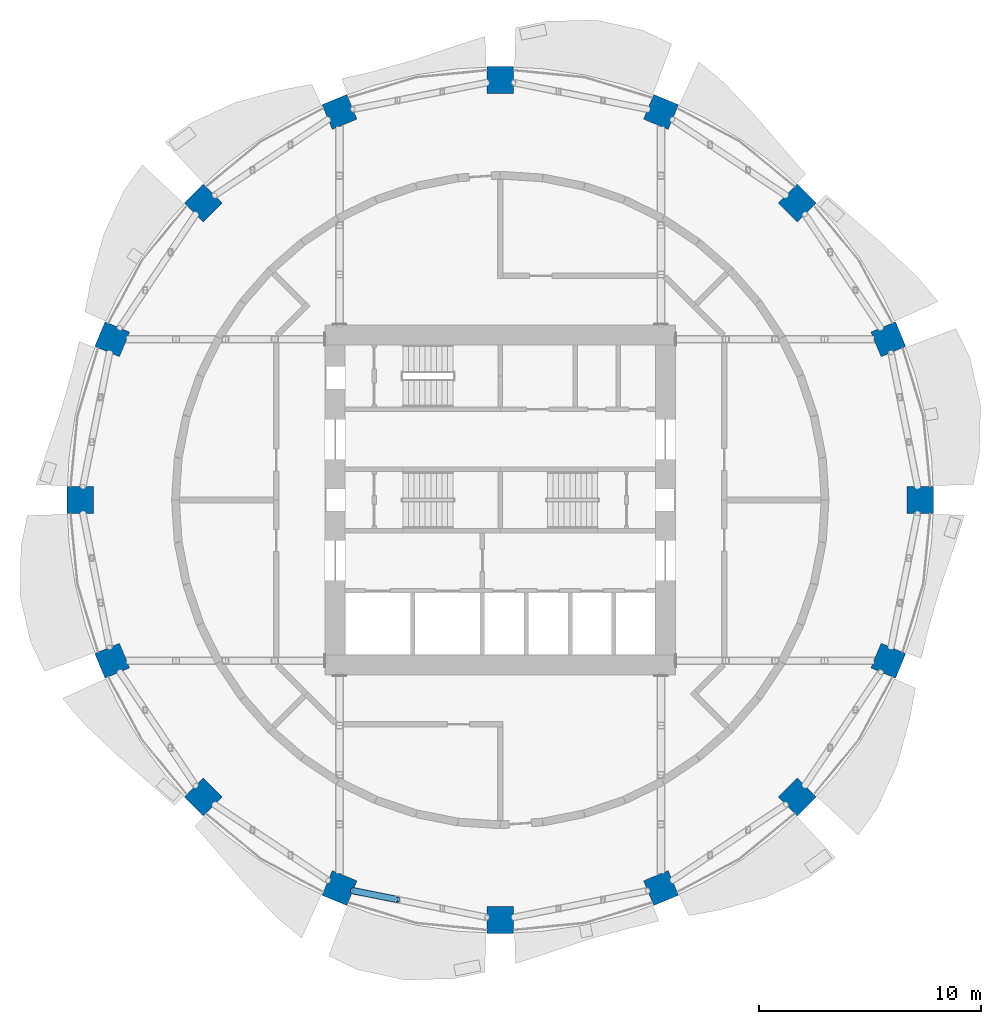
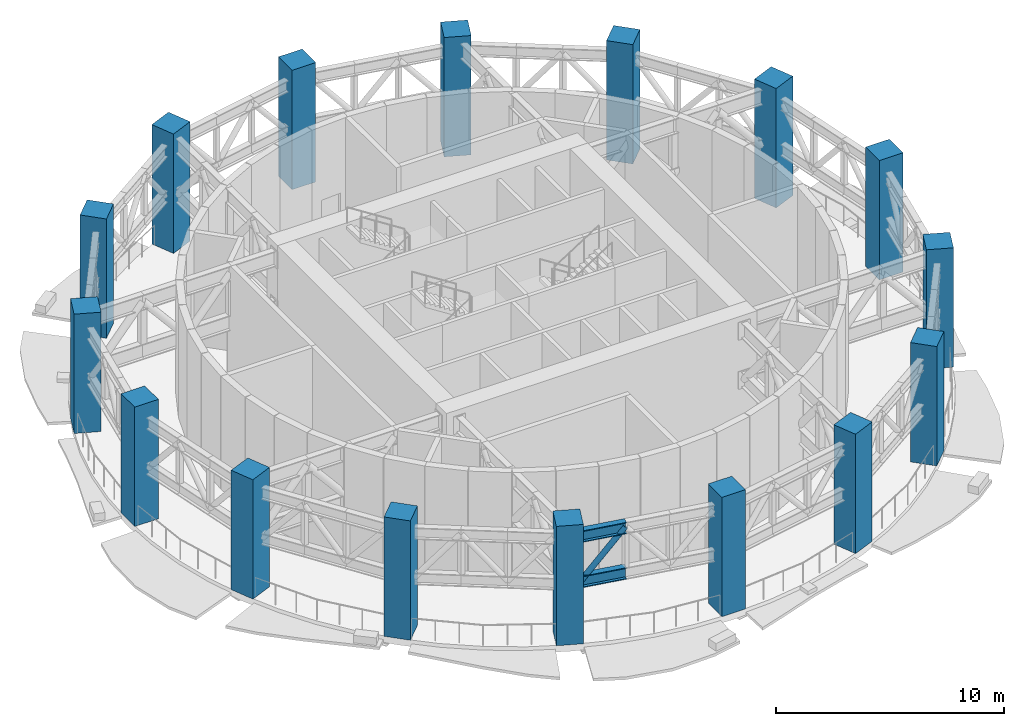
# One storey, part 1 of 14: 16 columns, 3 members.
"""IFC4 building model written with IfcOpenShell, lengths in metres."""

from ifc_helpers import new_model, si_unit, direction, frame, origin, origin_2d, place, context, subcontext, project, spatial, rectangle, hollow_circle, i_section, extrude, material, material_profile, profile_set, type_object, element, save


model = new_model("IFC4")

# Units and contexts
model_context = context("Model", 3, precision=1e-05, world=origin(), true_north=direction((0.0, 1.0)))
body_context = subcontext(model_context, "Body", "Model", "MODEL_VIEW")
ifc_project = project(units=[si_unit("LENGTHUNIT", "METRE"), si_unit("AREAUNIT", "SQUARE_METRE"), si_unit("VOLUMEUNIT", "CUBIC_METRE"), si_unit("PLANEANGLEUNIT", "RADIAN"), si_unit("MASSUNIT", "GRAM", prefix="KILO")], contexts=[model_context])

# Site, building, storey
site_placement = place(None, origin())
site = spatial("IfcSite", under=ifc_project, at=site_placement, CompositionType="ELEMENT")
building_placement = place(site_placement, origin())
building = spatial("IfcBuilding", under=site, at=building_placement, Name="Polderwave Tower", CompositionType="ELEMENT")
storey_placement = place(building_placement, frame((0.0, 0.0, 66.35009765625)))
storey = spatial("IfcBuildingStorey", under=building, at=storey_placement, Name="L17", CompositionType="ELEMENT", Elevation=66.35009765625)

# Columns
ifc_material_1 = material(Name="Concrete C70/85", Category="concrete")
ifc_material_profile_1 = material_profile(ifc_material_1, rectangle(XDim=1.199951171875, YDim=1.199951171875, at=origin_2d()), Name="RC 1200x1200")
ifc_profile_set_1 = profile_set([ifc_material_profile_1], Name="Concrete C70/85")
column_type = type_object("IfcColumnType", Name="RC COLUMN 1200x1200 C70/85", PredefinedType="COLUMN", material=ifc_profile_set_1)
for number, where, z_axis, x_axis, name in (
    (1, (18.8798828125, 0.0, 0.0), (0.0, 0.0, 1.0), (1.0, 0.0, 0.0), "Ring column 01"),
    (2, (17.44287109375, 7.22509765625, 0.0), (0.0, 0.0, 1.0), (0.923879532511, 0.382683432365, 0.0), "Ring column 02"),
    (3, (13.35009765625, 13.35009765625, 0.0), (0.0, 0.0, 1.0), (0.707106781187, 0.707106781187, 0.0), "Ring column 03"),
    (4, (7.22509765625, 17.44287109375, 0.0), (0.0, 0.0, 1.0), (0.382683432365, 0.923879532511, 0.0), "Ring column 04"),
    (5, (0.0, 18.8798828125, 0.0), (0.0, 0.0, 1.0), (0.0, 1.0, 0.0), "Ring column 05"),
    (6, (-7.22509765625, 17.44287109375, 0.0), (0.0, 0.0, 1.0), (-0.382683432365, 0.923879532511, 0.0), "Ring column 06"),
    (7, (-13.35009765625, 13.35009765625, 0.0), (0.0, 0.0, 1.0), (-0.707106781187, 0.707106781187, 0.0), "Ring column 07"),
    (8, (-17.44287109375, 7.22509765625, 0.0), (0.0, 0.0, 1.0), (-0.923879532511, 0.382683432365, 0.0), "Ring column 08"),
    (9, (-18.8798828125, 0.0, 0.0), (0.0, 0.0, 1.0), (-1.0, 0.0, 0.0), "Ring column 09"),
    (10, (-17.44287109375, -7.22509765625, 0.0), (0.0, 0.0, 1.0), (-0.923879532511, -0.382683432365, 0.0), "Ring column 10"),
    (11, (-13.35009765625, -13.35009765625, 0.0), (0.0, 0.0, 1.0), (-0.707106781187, -0.707106781187, 0.0), "Ring column 11"),
    (12, (-7.22509765625, -17.44287109375, 0.0), (0.0, 0.0, 1.0), (-0.382683432365, -0.923879532511, 0.0), "Ring column 12"),
    (13, (0.0, -18.8798828125, 0.0), (0.0, 0.0, 1.0), (0.0, -1.0, 0.0), "Ring column 13"),
    (14, (7.22509765625, -17.44287109375, 0.0), (0.0, 0.0, 1.0), (0.382683432365, -0.923879532511, 0.0), "Ring column 14"),
    (15, (13.35009765625, -13.35009765625, 0.0), (0.0, 0.0, 1.0), (0.707106781187, -0.707106781187, 0.0), "Ring column 15"),
    (16, (17.44287109375, -7.22509765625, 0.0), (0.0, 0.0, 1.0), (0.923879532511, -0.382683432365, 0.0), "Ring column 16"),
):
    element("IfcColumn", number, at=place(storey_placement, frame(where, z_axis=z_axis, x_axis=x_axis)), inside=storey, type_object=column_type, Name=name, PredefinedType="COLUMN", context=body_context, shape_type="SweptSolid", body=[
        extrude(rectangle(XDim=1.199951171875, YDim=1.199951171875, at=origin_2d()), origin(), (0.0, 0.0, 1.0), 6.39990234375),
    ])

# Members
ifc_material_2 = material(Name="Steel S460", Category="steel")
ifc_material_profile_2 = material_profile(ifc_material_2, i_section(OverallWidth=0.304931640625, OverallDepth=0.6201171875, WebThickness=0.02099609375, FlangeThickness=0.0400390625, at=origin_2d()), Name="HE 600 M")
ifc_profile_set_2 = profile_set([ifc_material_profile_2], Name="Steel S460")
member_type_1 = type_object("IfcMemberType", Name="BELT CHORD HE 600 M", PredefinedType="CHORD", material=ifc_profile_set_2)
for number, where, z_axis, x_axis, name in (
    (17, (-6.625, -17.562255859375, 5.33984375), (0.980791054921, -0.195061289308, 0.0), (0.195061289308, 0.980791054921, 0.0), "ST-BT-L17-11-TC1"),
    (18, (-6.625, -17.562255859375, 2.909912109375), (0.980791054921, -0.195061289308, 0.0), (0.195061289308, 0.980791054921, 0.0), "ST-BT-L17-11-BC1"),
):
    element("IfcMember", number, at=place(storey_placement, frame(where, z_axis=z_axis, x_axis=x_axis)), inside=storey, type_object=member_type_1, Name=name, PredefinedType="CHORD", context=body_context, shape_type="SweptSolid", body=[
        extrude(i_section(OverallWidth=0.304931640625, OverallDepth=0.6201171875, WebThickness=0.02099609375, FlangeThickness=0.0400390625, at=origin_2d()), origin(), (0.0, 0.0, 1.0), 2.047607421875),
    ])
ifc_material_profile_3 = material_profile(ifc_material_2, hollow_circle(Radius=0.136474609375, WallThickness=0.012451171875, at=origin_2d()), Name="CHS 273x12.5")
ifc_profile_set_3 = profile_set([ifc_material_profile_3], Name="Steel S460")
member_type_2 = type_object("IfcMemberType", Name="BELT DIAGONAL CHS 273x12.5", PredefinedType="BRACE", material=ifc_profile_set_3)
member_placement = place(storey_placement, frame((-6.625, -17.562255859375, 2.909912109375), z_axis=(0.632010934113, -0.125695342598, 0.764697888065), x_axis=(0.195061289308, 0.980791054921, 0.0)))
element("IfcMember", 19, at=member_placement, inside=storey, type_object=member_type_2, Name="ST-BT-L17-11-D1", PredefinedType="BRACE", context=body_context, shape_type="SweptSolid", body=[
    extrude(hollow_circle(Radius=0.136474609375, WallThickness=0.012451171875, at=origin_2d()), origin(), (0.0, 0.0, 1.0), 3.177734375),
])

save(model, "model.ifc")
